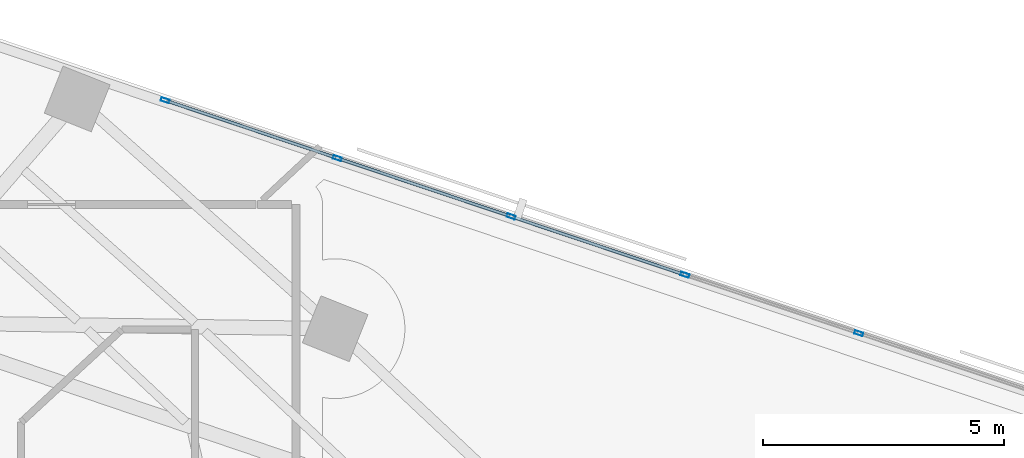
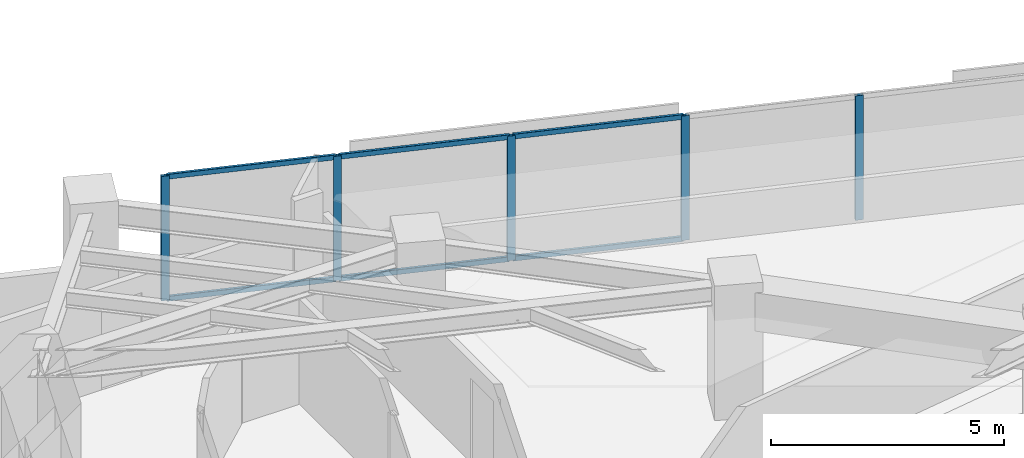
# One storey, part 4 of 14: 11 members, 1 element without a shape of its own.
"""IFC4 building model written with IfcOpenShell, lengths in metres."""

from ifc_helpers import new_model, si_unit, direction, frame, origin, origin_2d, place, context, subcontext, project, spatial, hollow_rectangle, extrude, material, material_profile, profile_set, type_object, element, aggregate, save


model = new_model("IFC4")

# Units and contexts
model_context = context("Model", 3, precision=1e-05, world=origin(), true_north=direction((0.0, 1.0)))
body_context = subcontext(model_context, "Body", "Model", "MODEL_VIEW")
ifc_project = project(units=[si_unit("LENGTHUNIT", "METRE"), si_unit("AREAUNIT", "SQUARE_METRE"), si_unit("VOLUMEUNIT", "CUBIC_METRE"), si_unit("PLANEANGLEUNIT", "RADIAN"), si_unit("MASSUNIT", "GRAM", prefix="KILO")], contexts=[model_context])

# Site, building, storey
site_placement = place(None, origin())
site = spatial("IfcSite", under=ifc_project, at=site_placement, CompositionType="ELEMENT")
building_placement = place(site_placement, origin())
building = spatial("IfcBuilding", under=site, at=building_placement, Name="Narakoshi Arena Tower", CompositionType="ELEMENT")
storey_placement = place(building_placement, frame((0.0, 0.0, 179.10009765625)))
storey = spatial("IfcBuildingStorey", under=building, at=storey_placement, Name="L48", CompositionType="ELEMENT", Elevation=179.10009765625)

# Curtain wall, members
ifc_material = material(Name="Anodised bronze aluminium 6063-T6", Category="aluminium")
curtain_wall_type = type_object("IfcCurtainWallType", Name="CW-HYP-MID", PredefinedType="NOTDEFINED", material=ifc_material)
curtain_wall_placement = place(storey_placement, origin())
curtain_wall = element("IfcCurtainWall", 1, at=curtain_wall_placement, inside=storey, type_object=curtain_wall_type, Name="L48 Folded Hypotenuse Curtain Wall 1-1", PredefinedType="NOTDEFINED")
ifc_material_profile_1 = material_profile(ifc_material, hollow_rectangle(XDim=0.074951171875, YDim=0.179931640625, WallThickness=0.00390625, OuterFilletRadius=0.0048828125, at=origin_2d()), Name="MUL180x75x4")
ifc_profile_set_1 = profile_set([ifc_material_profile_1], Name="Anodised bronze aluminium 6063-T6")
member_type_1 = type_object("IfcMemberType", Name="MEM-MUL-180", PredefinedType="MULLION", material=ifc_profile_set_1)
member_1_placement = place(storey_placement, frame((105.783447265625, 56.272705078125, 0.0), z_axis=(0.0, 0.0, 1.0), x_axis=(-0.318260960253, -0.948003144077, 0.0)))
member_1 = element("IfcMember", 2, at=member_1_placement, type_object=member_type_1, Name="CW-02 mullion 4", PredefinedType="MULLION", context=body_context, shape_type="SweptSolid", body=[
    extrude(hollow_rectangle(XDim=0.074951171875, YDim=0.179931640625, WallThickness=0.00390625, OuterFilletRadius=0.0048828125, at=origin_2d()), origin(), (0.0, 0.0, 1.0), 3.260009765625),
])
member_2_placement = place(storey_placement, frame((102.176025390625, 57.48388671875, 0.0), z_axis=(0.0, 0.0, 1.0), x_axis=(-0.318260960253, -0.948003144077, 0.0)))
member_2 = element("IfcMember", 3, at=member_2_placement, type_object=member_type_1, Name="CW-02 mullion 5", PredefinedType="MULLION", context=body_context, shape_type="SweptSolid", body=[
    extrude(hollow_rectangle(XDim=0.074951171875, YDim=0.179931640625, WallThickness=0.00390625, OuterFilletRadius=0.0048828125, at=origin_2d()), origin(), (0.0, 0.0, 1.0), 3.260009765625),
])
member_3_placement = place(storey_placement, frame((98.568359375, 58.695068359375, 0.0), z_axis=(0.0, 0.0, 1.0), x_axis=(-0.318260960253, -0.948003144077, 0.0)))
member_3 = element("IfcMember", 4, at=member_3_placement, type_object=member_type_1, Name="CW-02 mullion 6", PredefinedType="MULLION", context=body_context, shape_type="SweptSolid", body=[
    extrude(hollow_rectangle(XDim=0.074951171875, YDim=0.179931640625, WallThickness=0.00390625, OuterFilletRadius=0.0048828125, at=origin_2d()), origin(), (0.0, 0.0, 1.0), 3.260009765625),
])
member_4_placement = place(storey_placement, frame((94.960693359375, 59.90625, 0.0), z_axis=(0.0, 0.0, 1.0), x_axis=(-0.318260960253, -0.948003144077, 0.0)))
member_4 = element("IfcMember", 5, at=member_4_placement, type_object=member_type_1, Name="CW-02 mullion 7", PredefinedType="MULLION", context=body_context, shape_type="SweptSolid", body=[
    extrude(hollow_rectangle(XDim=0.074951171875, YDim=0.179931640625, WallThickness=0.00390625, OuterFilletRadius=0.0048828125, at=origin_2d()), origin(), (0.0, 0.0, 1.0), 3.260009765625),
])
member_5_placement = place(storey_placement, frame((91.388671875, 61.10546875, 0.0), z_axis=(0.0, 0.0, 1.0), x_axis=(-0.318260960253, -0.948003144077, 0.0)))
member_5 = element("IfcMember", 6, at=member_5_placement, type_object=member_type_1, Name="CW-02 mullion 8", PredefinedType="MULLION", context=body_context, shape_type="SweptSolid", body=[
    extrude(hollow_rectangle(XDim=0.074951171875, YDim=0.179931640625, WallThickness=0.00390625, OuterFilletRadius=0.0048828125, at=origin_2d()), origin(), (0.0, 0.0, 1.0), 3.260009765625),
])
ifc_material_profile_2 = material_profile(ifc_material, hollow_rectangle(XDim=0.06494140625, YDim=0.1298828125, WallThickness=0.00390625, OuterFilletRadius=0.0048828125, at=origin_2d()), Name="TRN130x65x4")
ifc_profile_set_2 = profile_set([ifc_material_profile_2], Name="Anodised bronze aluminium 6063-T6")
member_type_2 = type_object("IfcMemberType", Name="MEM-TRN-130", PredefinedType="USERDEFINED", material=ifc_profile_set_2)
member_6_placement = place(storey_placement, frame((102.140380859375, 57.495849609375, 0.032470703125), z_axis=(-0.948000451231, 0.318268981314, 0.0), x_axis=(-0.318268981314, -0.948000451231, 0.0)))
member_6 = element("IfcMember", 7, at=member_6_placement, type_object=member_type_2, Name="CW-02 transom 5.1", ObjectType="TRANSOM", PredefinedType="USERDEFINED", context=body_context, shape_type="SweptSolid", body=[
    extrude(hollow_rectangle(XDim=0.06494140625, YDim=0.1298828125, WallThickness=0.00390625, OuterFilletRadius=0.0048828125, at=origin_2d()), origin(), (0.0, 0.0, 1.0), 3.73046875),
])
member_7_placement = place(storey_placement, frame((102.140380859375, 57.495849609375, 3.227294921875), z_axis=(-0.948000451231, 0.318268981314, 0.0), x_axis=(-0.318268981314, -0.948000451231, 0.0)))
member_7 = element("IfcMember", 8, at=member_7_placement, type_object=member_type_2, Name="CW-02 transom 5.2", ObjectType="TRANSOM", PredefinedType="USERDEFINED", context=body_context, shape_type="SweptSolid", body=[
    extrude(hollow_rectangle(XDim=0.06494140625, YDim=0.1298828125, WallThickness=0.00390625, OuterFilletRadius=0.0048828125, at=origin_2d()), origin(), (0.0, 0.0, 1.0), 3.73046875),
])
member_8_placement = place(storey_placement, frame((98.53271484375, 58.70703125, 0.032470703125), z_axis=(-0.948000451231, 0.318268981314, 0.0), x_axis=(-0.318268981314, -0.948000451231, 0.0)))
member_8 = element("IfcMember", 9, at=member_8_placement, type_object=member_type_2, Name="CW-02 transom 6.1", ObjectType="TRANSOM", PredefinedType="USERDEFINED", context=body_context, shape_type="SweptSolid", body=[
    extrude(hollow_rectangle(XDim=0.06494140625, YDim=0.1298828125, WallThickness=0.00390625, OuterFilletRadius=0.0048828125, at=origin_2d()), origin(), (0.0, 0.0, 1.0), 3.73046875),
])
member_9_placement = place(storey_placement, frame((98.53271484375, 58.70703125, 3.227294921875), z_axis=(-0.948000451231, 0.318268981314, 0.0), x_axis=(-0.318268981314, -0.948000451231, 0.0)))
member_9 = element("IfcMember", 10, at=member_9_placement, type_object=member_type_2, Name="CW-02 transom 6.2", ObjectType="TRANSOM", PredefinedType="USERDEFINED", context=body_context, shape_type="SweptSolid", body=[
    extrude(hollow_rectangle(XDim=0.06494140625, YDim=0.1298828125, WallThickness=0.00390625, OuterFilletRadius=0.0048828125, at=origin_2d()), origin(), (0.0, 0.0, 1.0), 3.73046875),
])
member_10_placement = place(storey_placement, frame((94.92529296875, 59.918212890625, 0.032470703125), z_axis=(-0.948006826737, 0.31824999051, 0.0), x_axis=(-0.31824999051, -0.948006826737, 0.0)))
member_10 = element("IfcMember", 11, at=member_10_placement, type_object=member_type_2, Name="CW-02 transom 7.1", ObjectType="TRANSOM", PredefinedType="USERDEFINED", context=body_context, shape_type="SweptSolid", body=[
    extrude(hollow_rectangle(XDim=0.06494140625, YDim=0.1298828125, WallThickness=0.00390625, OuterFilletRadius=0.0048828125, at=origin_2d()), origin(), (0.0, 0.0, 1.0), 3.69287109375),
])
member_11_placement = place(storey_placement, frame((94.92529296875, 59.918212890625, 3.227294921875), z_axis=(-0.948006826737, 0.31824999051, 0.0), x_axis=(-0.31824999051, -0.948006826737, 0.0)))
member_11 = element("IfcMember", 12, at=member_11_placement, type_object=member_type_2, Name="CW-02 transom 7.2", ObjectType="TRANSOM", PredefinedType="USERDEFINED", context=body_context, shape_type="SweptSolid", body=[
    extrude(hollow_rectangle(XDim=0.06494140625, YDim=0.1298828125, WallThickness=0.00390625, OuterFilletRadius=0.0048828125, at=origin_2d()), origin(), (0.0, 0.0, 1.0), 3.69287109375),
])
aggregate(curtain_wall, [member_1, member_2, member_3, member_4, member_5, member_6, member_7, member_8, member_9, member_10, member_11])

save(model, "model.ifc")
